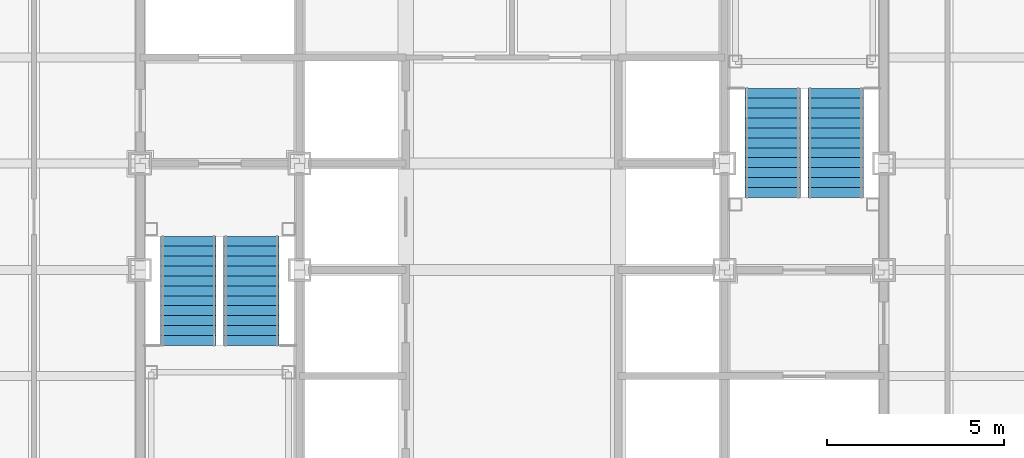
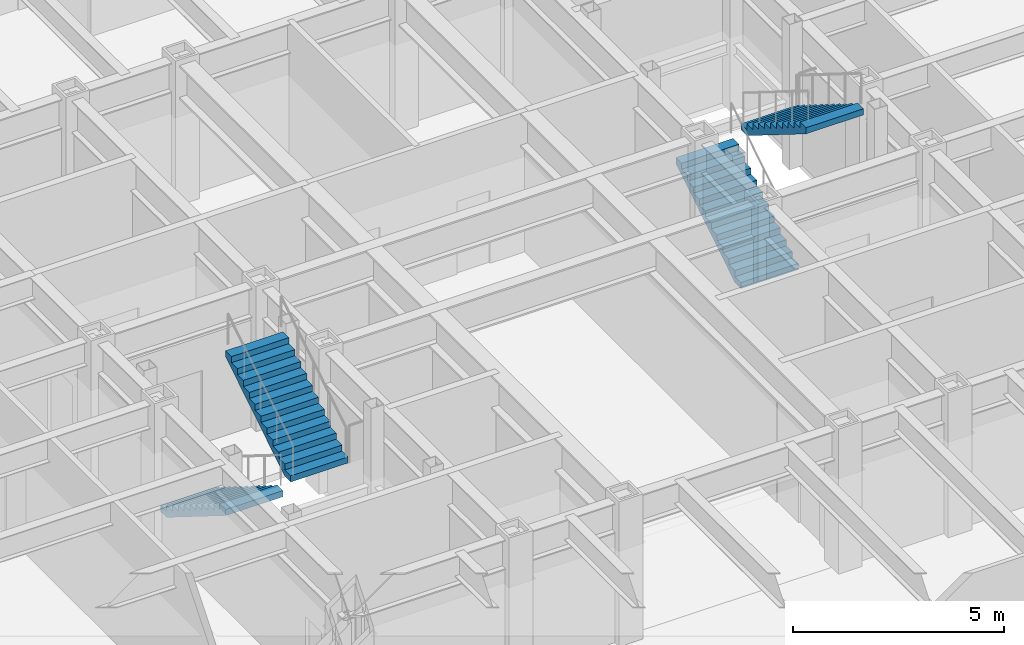
# One storey, part 13 of 15: 4 stair flights, 2 elements without a shape of their own.
"""IFC4 building model written with IfcOpenShell, lengths in metres."""

import ifcopenshell
import ifcopenshell.guid

model = None  # the IFC model being written
_history = None  # IfcOwnerHistory: only IFC2X3 demands one
_inside = {}  # id of a spatial element -> (the spatial element, [elements in it])
_under = {}  # id of a project, library or spatial element -> (it, [spatial elements below it])
_declared = {}  # id of a project -> (the project, [libraries it declares])
_typed = {}  # id of a type object -> (the type object, [elements of that type])
_made_of = {}  # id of a material, layer set ... -> (it, [elements and type objects made of it])


def new_model(schema):
    """Start an empty IFC model of exactly this schema.

    Asked for "IFC4X3", IfcOpenShell would pick the latest addendum, in which some entities
    have other attributes; the version numbers below select the first issue.
    IFC2X3 requires an IfcOwnerHistory on every rooted entity: one is made here for all.
    """
    global model, _history
    if schema == "IFC4X3":
        model = ifcopenshell.file(schema_version=(4, 3, 0, 0))
    else:
        model = ifcopenshell.file(schema=schema)
    _inside.clear()
    _under.clear()
    _declared.clear()
    _typed.clear()
    _made_of.clear()
    _history = None
    if model.schema == "IFC2X3":
        org = make("IfcOrganization", Name="unknown")
        user = make(
            "IfcPersonAndOrganization",
            ThePerson=make("IfcPerson", FamilyName="unknown"),
            TheOrganization=org,
        )
        app = make(
            "IfcApplication",
            ApplicationDeveloper=org,
            Version="unknown",
            ApplicationFullName="unknown",
            ApplicationIdentifier="unknown",
        )
        _history = make(
            "IfcOwnerHistory",
            OwningUser=user,
            OwningApplication=app,
            ChangeAction="ADDED",
            CreationDate=0,
        )
    return model


def make(cls, **values):
    """One entity of the class cls with the attributes given. An attribute that is None is left unset."""
    return model.create_entity(
        cls, **{name: value for name, value in values.items() if value is not None}
    )


def rooted(cls, **values):
    """An entity with a GlobalId (a new one), such as an element, a storey or a relation."""
    return make(cls, GlobalId=ifcopenshell.guid.new(), OwnerHistory=_history, **values)


def si_unit(unit_type, name, prefix=None):
    """IfcSIUnit, for example si_unit("LENGTHUNIT", "METRE", prefix="MILLI")."""
    return make("IfcSIUnit", UnitType=unit_type, Prefix=prefix, Name=name)


def assignment(units):
    """IfcUnitAssignment: the units of a project."""
    return None if units is None else make("IfcUnitAssignment", Units=units)


def point(xyz):
    """IfcCartesianPoint."""
    return None if xyz is None else make("IfcCartesianPoint", Coordinates=xyz)


def direction(xyz):
    """IfcDirection."""
    return None if xyz is None else make("IfcDirection", DirectionRatios=xyz)


def frame(location, z_axis=None, x_axis=None):
    """IfcAxis2Placement3D, a coordinate frame: its origin and axes. An axis left out is left unset."""
    return make(
        "IfcAxis2Placement3D",
        Location=point(location),
        Axis=direction(z_axis),
        RefDirection=direction(x_axis),
    )


def origin():
    """The frame at (0, 0, 0) with its axes left unset."""
    return frame((0.0, 0.0, 0.0))


def place(relative_to, where):
    """IfcLocalPlacement: puts the frame where relative to a parent placement (None: the world)."""
    return make(
        "IfcLocalPlacement", PlacementRelTo=relative_to, RelativePlacement=where
    )


def context(
    kind, dimensions, precision=None, world=None, true_north=None, identifier=None
):
    """IfcGeometricRepresentationContext, for example the 3D "Model" context."""
    return make(
        "IfcGeometricRepresentationContext",
        ContextIdentifier=identifier,
        ContextType=kind,
        CoordinateSpaceDimension=dimensions,
        Precision=precision,
        WorldCoordinateSystem=world,
        TrueNorth=true_north,
    )


def subcontext(parent, identifier, kind, view, scale=None):
    """IfcGeometricRepresentationSubContext, for example "Body" below "Model"."""
    return make(
        "IfcGeometricRepresentationSubContext",
        ContextIdentifier=identifier,
        ContextType=kind,
        ParentContext=parent,
        TargetScale=scale,
        TargetView=view,
    )


def project(units=None, contexts=None):
    """IfcProject with its units and contexts."""
    return rooted(
        "IfcProject",
        Name="project",
        RepresentationContexts=contexts,
        UnitsInContext=assignment(units),
    )


def spatial(cls, under=None, at=None, **own):
    """A site, building, storey or space (cls), placed at a placement, below another one or the project."""
    s = rooted(cls, ObjectPlacement=at, **own)
    if under is not None:
        _under.setdefault(under.id(), (under, []))[1].append(s)
    return s


def faces_of(points, faces, orient=None, outer=None):
    """IfcFace entities. A face is a list of loops; a loop is a list of indices into points, from 0.

    orient and outer hold one flag for each loop. By default every Orientation is true, the
    first loop of a face is its IfcFaceOuterBound and the others are IfcFaceBound.
    """
    made = []
    for i, loops in enumerate(faces):
        bounds = []
        for j, loop in enumerate(loops):
            is_outer = j == 0 if outer is None else outer[i][j]
            bounds.append(
                make(
                    "IfcFaceOuterBound" if is_outer else "IfcFaceBound",
                    Bound=make("IfcPolyLoop", Polygon=[points[k] for k in loop]),
                    Orientation=True if orient is None else orient[i][j],
                )
            )
        made.append(make("IfcFace", Bounds=bounds))
    return made


def faceted_brep(points, faces, orient=None, outer=None, voids=None):
    """IfcFacetedBrep: a solid bounded by flat faces; with voids (closed shells), ...WithVoids."""
    shared = [point(p) for p in points]
    hull = make("IfcClosedShell", CfsFaces=faces_of(shared, faces, orient, outer))
    if voids is None:
        return make("IfcFacetedBrep", Outer=hull)
    return make(
        "IfcFacetedBrepWithVoids",
        Outer=hull,
        Voids=[
            make(cls, CfsFaces=faces_of(shared, fs, o, b)) for cls, fs, o, b in voids
        ],
    )


def shape(context_of_items, identifier, shape_type, items):
    """IfcShapeRepresentation: the items that make up one representation, for example the "Body"."""
    return make(
        "IfcShapeRepresentation",
        ContextOfItems=context_of_items,
        RepresentationIdentifier=identifier,
        RepresentationType=shape_type,
        Items=items,
    )


def material(Name=None, Category=None):
    """IfcMaterial."""
    return make("IfcMaterial", Name=Name, Category=Category)


def made_of(thing, what):
    """Note that an element or type object is made of a material, layer set ...; save() writes the relation."""
    if what is not None:
        _made_of.setdefault(what.id(), (what, []))[1].append(thing)
    return thing


def type_object(cls, material=None, **own):
    """A type object (cls), such as IfcWallType, which elements share."""
    return made_of(rooted(cls, **own), material)


def element(
    cls,
    number,
    at=None,
    inside=None,
    cuts=None,
    type_object=None,
    material=None,
    context=None,
    identifier="Body",
    shape_type=None,
    held_by="IfcProductDefinitionShape",
    body=None,
    shapes=None,
    **own,
):
    """One element of the class cls, such as IfcWall. Its Tag is "e" and its number.

    at: its placement. inside: the storey or other place that contains it. cuts: it is an
    opening in that element (IfcRelVoidsElement). A single representation is given by context,
    identifier, shape_type and body (its items); several are given by shapes. held_by: the class
    of the entity that holds the representations. save() writes the other relations.
    """
    e = rooted(cls, Tag="e%d" % number, ObjectPlacement=at, **own)
    if body is not None:
        shapes = [shape(context, identifier, shape_type, body)]
    if shapes is not None:
        e.Representation = make(held_by, Representations=shapes)
    if inside is not None:
        _inside.setdefault(inside.id(), (inside, []))[1].append(e)
    if cuts is not None:
        rooted(
            "IfcRelVoidsElement", RelatingBuildingElement=cuts, RelatedOpeningElement=e
        )
    if type_object is not None:
        _typed.setdefault(type_object.id(), (type_object, []))[1].append(e)
    return made_of(e, material)


def aggregate(whole, parts):
    """IfcRelAggregates: a whole, such as a stair, and the parts it consists of."""
    return rooted("IfcRelAggregates", RelatingObject=whole, RelatedObjects=parts)


def save(model, path):
    """Write the relations noted so far, then the file.

    IfcRelAggregates (storeys below a building ...), IfcRelContainedInSpatialStructure (elements
    in a storey), IfcRelDefinesByType, IfcRelAssociatesMaterial and IfcRelDeclares: one each for
    every whole, place, type object, material and project.
    """
    for whole, parts in _under.values():
        aggregate(whole, parts)
    for where, things in _inside.values():
        rooted(
            "IfcRelContainedInSpatialStructure",
            RelatedElements=things,
            RelatingStructure=where,
        )
    for kind, things in _typed.values():
        rooted("IfcRelDefinesByType", RelatedObjects=things, RelatingType=kind)
    for what, things in _made_of.values():
        rooted("IfcRelAssociatesMaterial", RelatedObjects=things, RelatingMaterial=what)
    for by, libraries in _declared.values():
        rooted("IfcRelDeclares", RelatingContext=by, RelatedDefinitions=libraries)
    model.write(path)


model = new_model("IFC4")

# Units and contexts
model_context = context("Model", 3, precision=1e-05, world=origin(), true_north=direction((0.0, 1.0)))
body_context = subcontext(model_context, "Body", "Model", "MODEL_VIEW")
ifc_project = project(units=[si_unit("LENGTHUNIT", "METRE"), si_unit("AREAUNIT", "SQUARE_METRE"), si_unit("VOLUMEUNIT", "CUBIC_METRE"), si_unit("PLANEANGLEUNIT", "RADIAN"), si_unit("MASSUNIT", "GRAM", prefix="KILO")], contexts=[model_context])

# Site, building, storey
site_placement = place(None, origin())
site = spatial("IfcSite", under=ifc_project, at=site_placement, CompositionType="ELEMENT")
building_placement = place(site_placement, origin())
building = spatial("IfcBuilding", under=site, at=building_placement, Name="Chuquiago Exchange Tower", CompositionType="ELEMENT")
storey_placement = place(building_placement, frame((0.0, 0.0, 184.5)))
storey = spatial("IfcBuildingStorey", under=building, at=storey_placement, Name="L40", CompositionType="ELEMENT", Elevation=184.5)

# Stair, stair flights
ifc_material_1 = material(Name="Concrete C30/37, precast", Category="concrete")
stair_type_1 = type_object("IfcStairType", Name="ST1 half-turn stair 4200", PredefinedType="HALF_TURN_STAIR", material=ifc_material_1)
stair_1_placement = place(storey_placement, origin())
stair_1 = element("IfcStair", 1, at=stair_1_placement, inside=storey, type_object=stair_type_1, Name="Stair ST1 L40", PredefinedType="HALF_TURN_STAIR")
ifc_material_2 = material(Name="Concrete C30/37, precast", Category="concrete")
stair_flight_type = type_object("IfcStairFlightType", Name="ST-F flight 1570 for 4200 storey", PredefinedType="STRAIGHT", material=ifc_material_2)
stair_flight_1_placement = place(storey_placement, frame((13.360107421875, 21.949951171875, 0.0), z_axis=(0.0, 0.0, 1.0), x_axis=(0.0, -1.0, 0.0)))
stair_flight_1 = element("IfcStairFlight", 2, at=stair_flight_1_placement, type_object=stair_flight_type, Name="ST1 flight 1", NumberOfRisers=12, NumberOfTreads=11, PredefinedType="STRAIGHT", RiserHeight=0.175, TreadLength=0.28, context=body_context, shape_type="Brep", body=[
    faceted_brep([(0.0, 0.78515625, 0.0), (0.0, 0.78515625, 0.175048828125), (0.280029296875, 0.78515625, 0.175048828125), (0.280029296875, 0.78515625, 0.35009765625), (0.56005859375, 0.78515625, 0.35009765625), (0.56005859375, 0.78515625, 0.52490234375), (0.840087890625, 0.78515625, 0.52490234375), (0.840087890625, 0.78515625, 0.699951171875), (1.1201171875, 0.78515625, 0.699951171875), (1.1201171875, 0.78515625, 0.875), (1.39990234375, 0.78515625, 0.875), (1.39990234375, 0.78515625, 1.050048828125), (1.679931640625, 0.78515625, 1.050048828125), (1.679931640625, 0.78515625, 1.22509765625), (1.9599609375, 0.78515625, 1.22509765625), (1.9599609375, 0.78515625, 1.39990234375), (2.239990234375, 0.78515625, 1.39990234375), (2.239990234375, 0.78515625, 1.574951171875), (2.52001953125, 0.78515625, 1.574951171875), (2.52001953125, 0.78515625, 1.75), (2.800048828125, 0.78515625, 1.75), (2.800048828125, 0.78515625, 1.925048828125), (3.080078125, 0.78515625, 1.925048828125), (3.080078125, 0.78515625, 1.748291015625), (0.28271484375, 0.78515625, 0.0), (0.28271484375, -0.78515625, 0.0), (3.080078125, -0.78515625, 1.748291015625), (3.080078125, -0.78515625, 1.925048828125), (2.800048828125, -0.78515625, 1.925048828125), (2.800048828125, -0.78515625, 1.75), (2.52001953125, -0.78515625, 1.75), (2.52001953125, -0.78515625, 1.574951171875), (2.239990234375, -0.78515625, 1.574951171875), (2.239990234375, -0.78515625, 1.39990234375), (1.9599609375, -0.78515625, 1.39990234375), (1.9599609375, -0.78515625, 1.22509765625), (1.679931640625, -0.78515625, 1.22509765625), (1.679931640625, -0.78515625, 1.050048828125), (1.39990234375, -0.78515625, 1.050048828125), (1.39990234375, -0.78515625, 0.875), (1.1201171875, -0.78515625, 0.875), (1.1201171875, -0.78515625, 0.699951171875), (0.840087890625, -0.78515625, 0.699951171875), (0.840087890625, -0.78515625, 0.52490234375), (0.56005859375, -0.78515625, 0.52490234375), (0.56005859375, -0.78515625, 0.35009765625), (0.280029296875, -0.78515625, 0.35009765625), (0.280029296875, -0.78515625, 0.175048828125), (0.0, -0.78515625, 0.175048828125), (0.0, -0.78515625, 0.0), (0.0, 0.392578125, 0.0), (0.0, 0.392578125, 0.175048828125), (0.0, 0.0, 0.0), (0.0, 0.0, 0.175048828125), (0.0, -0.392578125, 0.0), (0.0, -0.392578125, 0.175048828125), (0.280029296875, 0.392578125, 0.175048828125), (0.280029296875, 0.0, 0.175048828125), (0.280029296875, -0.392578125, 0.175048828125), (0.280029296875, 0.392578125, 0.35009765625), (0.280029296875, 0.0, 0.35009765625), (0.280029296875, -0.392578125, 0.35009765625), (0.56005859375, 0.392578125, 0.35009765625), (0.56005859375, 0.0, 0.35009765625), (0.56005859375, -0.392578125, 0.35009765625), (0.56005859375, 0.392578125, 0.52490234375), (0.56005859375, 0.0, 0.52490234375), (0.56005859375, -0.392578125, 0.52490234375), (0.840087890625, 0.392578125, 0.52490234375), (0.840087890625, 0.0, 0.52490234375), (0.840087890625, -0.392578125, 0.52490234375), (0.840087890625, 0.392578125, 0.699951171875), (0.840087890625, 0.0, 0.699951171875), (0.840087890625, -0.392578125, 0.699951171875), (1.1201171875, 0.392578125, 0.699951171875), (1.1201171875, 0.0, 0.699951171875), (1.1201171875, -0.392578125, 0.699951171875), (1.1201171875, 0.392578125, 0.875), (1.1201171875, 0.0, 0.875), (1.1201171875, -0.392578125, 0.875), (1.39990234375, 0.392578125, 0.875), (1.39990234375, 0.0, 0.875), (1.39990234375, -0.392578125, 0.875), (1.39990234375, 0.392578125, 1.050048828125), (1.39990234375, 0.0, 1.050048828125), (1.39990234375, -0.392578125, 1.050048828125), (1.679931640625, 0.392578125, 1.050048828125), (1.679931640625, 0.0, 1.050048828125), (1.679931640625, -0.392578125, 1.050048828125), (1.679931640625, 0.392578125, 1.22509765625), (1.679931640625, 0.0, 1.22509765625), (1.679931640625, -0.392578125, 1.22509765625), (1.9599609375, 0.392578125, 1.22509765625), (1.9599609375, 0.0, 1.22509765625), (1.9599609375, -0.392578125, 1.22509765625), (1.9599609375, 0.392578125, 1.39990234375), (1.9599609375, 0.0, 1.39990234375), (1.9599609375, -0.392578125, 1.39990234375), (2.239990234375, 0.392578125, 1.39990234375), (2.239990234375, 0.0, 1.39990234375), (2.239990234375, -0.392578125, 1.39990234375), (2.239990234375, 0.392578125, 1.574951171875), (2.239990234375, 0.0, 1.574951171875), (2.239990234375, -0.392578125, 1.574951171875), (2.52001953125, 0.392578125, 1.574951171875), (2.52001953125, 0.0, 1.574951171875), (2.52001953125, -0.392578125, 1.574951171875), (2.52001953125, 0.392578125, 1.75), (2.52001953125, 0.0, 1.75), (2.52001953125, -0.392578125, 1.75), (2.800048828125, 0.392578125, 1.75), (2.800048828125, 0.0, 1.75), (2.800048828125, -0.392578125, 1.75), (2.800048828125, 0.392578125, 1.925048828125), (2.800048828125, 0.0, 1.925048828125), (2.800048828125, -0.392578125, 1.925048828125), (3.080078125, 0.392578125, 1.925048828125), (3.080078125, 0.0, 1.925048828125), (3.080078125, -0.392578125, 1.925048828125), (3.080078125, 0.392578125, 1.748291015625), (3.080078125, 0.0, 1.748291015625), (3.080078125, -0.392578125, 1.748291015625), (0.28271484375, 0.392578125, 0.0), (0.28271484375, 0.0, 0.0), (0.28271484375, -0.392578125, 0.0)], [[[0, 1, 2, 3, 4, 5, 6, 7, 8, 9, 10, 11, 12, 13, 14, 15, 16, 17, 18, 19, 20, 21, 22, 23, 24]], [[25, 26, 27, 28, 29, 30, 31, 32, 33, 34, 35, 36, 37, 38, 39, 40, 41, 42, 43, 44, 45, 46, 47, 48, 49]], [[1, 0, 50, 51]], [[51, 50, 52, 53]], [[53, 52, 54, 55]], [[55, 54, 49, 48]], [[2, 1, 51, 56]], [[56, 51, 53, 57]], [[57, 53, 55, 58]], [[58, 55, 48, 47]], [[3, 2, 56, 59]], [[59, 56, 57, 60]], [[60, 57, 58, 61]], [[61, 58, 47, 46]], [[4, 3, 59, 62]], [[62, 59, 60, 63]], [[63, 60, 61, 64]], [[64, 61, 46, 45]], [[5, 4, 62, 65]], [[65, 62, 63, 66]], [[66, 63, 64, 67]], [[67, 64, 45, 44]], [[6, 5, 65, 68]], [[68, 65, 66, 69]], [[69, 66, 67, 70]], [[70, 67, 44, 43]], [[7, 6, 68, 71]], [[71, 68, 69, 72]], [[72, 69, 70, 73]], [[73, 70, 43, 42]], [[8, 7, 71, 74]], [[74, 71, 72, 75]], [[75, 72, 73, 76]], [[76, 73, 42, 41]], [[9, 8, 74, 77]], [[77, 74, 75, 78]], [[78, 75, 76, 79]], [[79, 76, 41, 40]], [[10, 9, 77, 80]], [[80, 77, 78, 81]], [[81, 78, 79, 82]], [[82, 79, 40, 39]], [[11, 10, 80, 83]], [[83, 80, 81, 84]], [[84, 81, 82, 85]], [[85, 82, 39, 38]], [[12, 11, 83, 86]], [[86, 83, 84, 87]], [[87, 84, 85, 88]], [[88, 85, 38, 37]], [[13, 12, 86, 89]], [[89, 86, 87, 90]], [[90, 87, 88, 91]], [[91, 88, 37, 36]], [[14, 13, 89, 92]], [[92, 89, 90, 93]], [[93, 90, 91, 94]], [[94, 91, 36, 35]], [[15, 14, 92, 95]], [[95, 92, 93, 96]], [[96, 93, 94, 97]], [[97, 94, 35, 34]], [[16, 15, 95, 98]], [[98, 95, 96, 99]], [[99, 96, 97, 100]], [[100, 97, 34, 33]], [[17, 16, 98, 101]], [[101, 98, 99, 102]], [[102, 99, 100, 103]], [[103, 100, 33, 32]], [[18, 17, 101, 104]], [[104, 101, 102, 105]], [[105, 102, 103, 106]], [[106, 103, 32, 31]], [[19, 18, 104, 107]], [[107, 104, 105, 108]], [[108, 105, 106, 109]], [[109, 106, 31, 30]], [[20, 19, 107, 110]], [[110, 107, 108, 111]], [[111, 108, 109, 112]], [[112, 109, 30, 29]], [[21, 20, 110, 113]], [[113, 110, 111, 114]], [[114, 111, 112, 115]], [[115, 112, 29, 28]], [[22, 21, 113, 116]], [[116, 113, 114, 117]], [[117, 114, 115, 118]], [[118, 115, 28, 27]], [[23, 22, 116, 119]], [[119, 116, 117, 120]], [[120, 117, 118, 121]], [[121, 118, 27, 26]], [[24, 23, 119, 122]], [[122, 119, 120, 123]], [[123, 120, 121, 124]], [[124, 121, 26, 25]], [[0, 24, 122, 50]], [[50, 122, 123, 52]], [[52, 123, 124, 54]], [[54, 124, 25, 49]]]),
])
stair_flight_2_placement = place(storey_placement, frame((15.139892578125, 18.8701171875, 2.10009765625), z_axis=(0.0, 0.0, 1.0), x_axis=(0.0, 1.0, 0.0)))
stair_flight_2 = element("IfcStairFlight", 3, at=stair_flight_2_placement, type_object=stair_flight_type, Name="ST1 flight 2", NumberOfRisers=12, NumberOfTreads=11, PredefinedType="STRAIGHT", RiserHeight=0.175, TreadLength=0.28, context=body_context, shape_type="Brep", body=[
    faceted_brep([(0.0, 0.78515625, 0.0), (0.0, 0.78515625, 0.175048828125), (0.280029296875, 0.78515625, 0.175048828125), (0.280029296875, 0.78515625, 0.35009765625), (0.56005859375, 0.78515625, 0.35009765625), (0.56005859375, 0.78515625, 0.52490234375), (0.840087890625, 0.78515625, 0.52490234375), (0.840087890625, 0.78515625, 0.699951171875), (1.1201171875, 0.78515625, 0.699951171875), (1.1201171875, 0.78515625, 0.875), (1.39990234375, 0.78515625, 0.875), (1.39990234375, 0.78515625, 1.050048828125), (1.679931640625, 0.78515625, 1.050048828125), (1.679931640625, 0.78515625, 1.22509765625), (1.9599609375, 0.78515625, 1.22509765625), (1.9599609375, 0.78515625, 1.39990234375), (2.239990234375, 0.78515625, 1.39990234375), (2.239990234375, 0.78515625, 1.574951171875), (2.52001953125, 0.78515625, 1.574951171875), (2.52001953125, 0.78515625, 1.75), (2.800048828125, 0.78515625, 1.75), (2.800048828125, 0.78515625, 1.925048828125), (3.080078125, 0.78515625, 1.925048828125), (3.080078125, 0.78515625, 1.748291015625), (0.28271484375, 0.78515625, 0.0), (0.28271484375, -0.78515625, 0.0), (3.080078125, -0.78515625, 1.748291015625), (3.080078125, -0.78515625, 1.925048828125), (2.800048828125, -0.78515625, 1.925048828125), (2.800048828125, -0.78515625, 1.75), (2.52001953125, -0.78515625, 1.75), (2.52001953125, -0.78515625, 1.574951171875), (2.239990234375, -0.78515625, 1.574951171875), (2.239990234375, -0.78515625, 1.39990234375), (1.9599609375, -0.78515625, 1.39990234375), (1.9599609375, -0.78515625, 1.22509765625), (1.679931640625, -0.78515625, 1.22509765625), (1.679931640625, -0.78515625, 1.050048828125), (1.39990234375, -0.78515625, 1.050048828125), (1.39990234375, -0.78515625, 0.875), (1.1201171875, -0.78515625, 0.875), (1.1201171875, -0.78515625, 0.699951171875), (0.840087890625, -0.78515625, 0.699951171875), (0.840087890625, -0.78515625, 0.52490234375), (0.56005859375, -0.78515625, 0.52490234375), (0.56005859375, -0.78515625, 0.35009765625), (0.280029296875, -0.78515625, 0.35009765625), (0.280029296875, -0.78515625, 0.175048828125), (0.0, -0.78515625, 0.175048828125), (0.0, -0.78515625, 0.0), (0.0, 0.392578125, 0.0), (0.0, 0.392578125, 0.175048828125), (0.0, 0.0, 0.0), (0.0, 0.0, 0.175048828125), (0.0, -0.392578125, 0.0), (0.0, -0.392578125, 0.175048828125), (0.280029296875, 0.392578125, 0.175048828125), (0.280029296875, 0.0, 0.175048828125), (0.280029296875, -0.392578125, 0.175048828125), (0.280029296875, 0.392578125, 0.35009765625), (0.280029296875, 0.0, 0.35009765625), (0.280029296875, -0.392578125, 0.35009765625), (0.56005859375, 0.392578125, 0.35009765625), (0.56005859375, 0.0, 0.35009765625), (0.56005859375, -0.392578125, 0.35009765625), (0.56005859375, 0.392578125, 0.52490234375), (0.56005859375, 0.0, 0.52490234375), (0.56005859375, -0.392578125, 0.52490234375), (0.840087890625, 0.392578125, 0.52490234375), (0.840087890625, 0.0, 0.52490234375), (0.840087890625, -0.392578125, 0.52490234375), (0.840087890625, 0.392578125, 0.699951171875), (0.840087890625, 0.0, 0.699951171875), (0.840087890625, -0.392578125, 0.699951171875), (1.1201171875, 0.392578125, 0.699951171875), (1.1201171875, 0.0, 0.699951171875), (1.1201171875, -0.392578125, 0.699951171875), (1.1201171875, 0.392578125, 0.875), (1.1201171875, 0.0, 0.875), (1.1201171875, -0.392578125, 0.875), (1.39990234375, 0.392578125, 0.875), (1.39990234375, 0.0, 0.875), (1.39990234375, -0.392578125, 0.875), (1.39990234375, 0.392578125, 1.050048828125), (1.39990234375, 0.0, 1.050048828125), (1.39990234375, -0.392578125, 1.050048828125), (1.679931640625, 0.392578125, 1.050048828125), (1.679931640625, 0.0, 1.050048828125), (1.679931640625, -0.392578125, 1.050048828125), (1.679931640625, 0.392578125, 1.22509765625), (1.679931640625, 0.0, 1.22509765625), (1.679931640625, -0.392578125, 1.22509765625), (1.9599609375, 0.392578125, 1.22509765625), (1.9599609375, 0.0, 1.22509765625), (1.9599609375, -0.392578125, 1.22509765625), (1.9599609375, 0.392578125, 1.39990234375), (1.9599609375, 0.0, 1.39990234375), (1.9599609375, -0.392578125, 1.39990234375), (2.239990234375, 0.392578125, 1.39990234375), (2.239990234375, 0.0, 1.39990234375), (2.239990234375, -0.392578125, 1.39990234375), (2.239990234375, 0.392578125, 1.574951171875), (2.239990234375, 0.0, 1.574951171875), (2.239990234375, -0.392578125, 1.574951171875), (2.52001953125, 0.392578125, 1.574951171875), (2.52001953125, 0.0, 1.574951171875), (2.52001953125, -0.392578125, 1.574951171875), (2.52001953125, 0.392578125, 1.75), (2.52001953125, 0.0, 1.75), (2.52001953125, -0.392578125, 1.75), (2.800048828125, 0.392578125, 1.75), (2.800048828125, 0.0, 1.75), (2.800048828125, -0.392578125, 1.75), (2.800048828125, 0.392578125, 1.925048828125), (2.800048828125, 0.0, 1.925048828125), (2.800048828125, -0.392578125, 1.925048828125), (3.080078125, 0.392578125, 1.925048828125), (3.080078125, 0.0, 1.925048828125), (3.080078125, -0.392578125, 1.925048828125), (3.080078125, 0.392578125, 1.748291015625), (3.080078125, 0.0, 1.748291015625), (3.080078125, -0.392578125, 1.748291015625), (0.28271484375, 0.392578125, 0.0), (0.28271484375, 0.0, 0.0), (0.28271484375, -0.392578125, 0.0)], [[[0, 1, 2, 3, 4, 5, 6, 7, 8, 9, 10, 11, 12, 13, 14, 15, 16, 17, 18, 19, 20, 21, 22, 23, 24]], [[25, 26, 27, 28, 29, 30, 31, 32, 33, 34, 35, 36, 37, 38, 39, 40, 41, 42, 43, 44, 45, 46, 47, 48, 49]], [[1, 0, 50, 51]], [[51, 50, 52, 53]], [[53, 52, 54, 55]], [[55, 54, 49, 48]], [[2, 1, 51, 56]], [[56, 51, 53, 57]], [[57, 53, 55, 58]], [[58, 55, 48, 47]], [[3, 2, 56, 59]], [[59, 56, 57, 60]], [[60, 57, 58, 61]], [[61, 58, 47, 46]], [[4, 3, 59, 62]], [[62, 59, 60, 63]], [[63, 60, 61, 64]], [[64, 61, 46, 45]], [[5, 4, 62, 65]], [[65, 62, 63, 66]], [[66, 63, 64, 67]], [[67, 64, 45, 44]], [[6, 5, 65, 68]], [[68, 65, 66, 69]], [[69, 66, 67, 70]], [[70, 67, 44, 43]], [[7, 6, 68, 71]], [[71, 68, 69, 72]], [[72, 69, 70, 73]], [[73, 70, 43, 42]], [[8, 7, 71, 74]], [[74, 71, 72, 75]], [[75, 72, 73, 76]], [[76, 73, 42, 41]], [[9, 8, 74, 77]], [[77, 74, 75, 78]], [[78, 75, 76, 79]], [[79, 76, 41, 40]], [[10, 9, 77, 80]], [[80, 77, 78, 81]], [[81, 78, 79, 82]], [[82, 79, 40, 39]], [[11, 10, 80, 83]], [[83, 80, 81, 84]], [[84, 81, 82, 85]], [[85, 82, 39, 38]], [[12, 11, 83, 86]], [[86, 83, 84, 87]], [[87, 84, 85, 88]], [[88, 85, 38, 37]], [[13, 12, 86, 89]], [[89, 86, 87, 90]], [[90, 87, 88, 91]], [[91, 88, 37, 36]], [[14, 13, 89, 92]], [[92, 89, 90, 93]], [[93, 90, 91, 94]], [[94, 91, 36, 35]], [[15, 14, 92, 95]], [[95, 92, 93, 96]], [[96, 93, 94, 97]], [[97, 94, 35, 34]], [[16, 15, 95, 98]], [[98, 95, 96, 99]], [[99, 96, 97, 100]], [[100, 97, 34, 33]], [[17, 16, 98, 101]], [[101, 98, 99, 102]], [[102, 99, 100, 103]], [[103, 100, 33, 32]], [[18, 17, 101, 104]], [[104, 101, 102, 105]], [[105, 102, 103, 106]], [[106, 103, 32, 31]], [[19, 18, 104, 107]], [[107, 104, 105, 108]], [[108, 105, 106, 109]], [[109, 106, 31, 30]], [[20, 19, 107, 110]], [[110, 107, 108, 111]], [[111, 108, 109, 112]], [[112, 109, 30, 29]], [[21, 20, 110, 113]], [[113, 110, 111, 114]], [[114, 111, 112, 115]], [[115, 112, 29, 28]], [[22, 21, 113, 116]], [[116, 113, 114, 117]], [[117, 114, 115, 118]], [[118, 115, 28, 27]], [[23, 22, 116, 119]], [[119, 116, 117, 120]], [[120, 117, 118, 121]], [[121, 118, 27, 26]], [[24, 23, 119, 122]], [[122, 119, 120, 123]], [[123, 120, 121, 124]], [[124, 121, 26, 25]], [[0, 24, 122, 50]], [[50, 122, 123, 52]], [[52, 123, 124, 54]], [[54, 124, 25, 49]]]),
])
aggregate(stair_1, [stair_flight_1, stair_flight_2])

ifc_material_3 = material(Name="Concrete C30/37, precast", Category="concrete")
stair_type_2 = type_object("IfcStairType", Name="ST2 half-turn stair 4200", PredefinedType="HALF_TURN_STAIR", material=ifc_material_3)
stair_2_placement = place(storey_placement, origin())
stair_2 = element("IfcStair", 4, at=stair_2_placement, inside=storey, type_object=stair_type_2, Name="Stair ST2 L40", PredefinedType="HALF_TURN_STAIR")
stair_flight_3_placement = place(storey_placement, frame((29.860107421875, 23.050048828125, 0.0), z_axis=(0.0, 0.0, 1.0), x_axis=(0.0, 1.0, 0.0)))
stair_flight_3 = element("IfcStairFlight", 5, at=stair_flight_3_placement, type_object=stair_flight_type, Name="ST2 flight 1", NumberOfRisers=12, NumberOfTreads=11, PredefinedType="STRAIGHT", RiserHeight=0.175, TreadLength=0.28, context=body_context, shape_type="Brep", body=[
    faceted_brep([(0.0, 0.78515625, 0.0), (0.0, 0.78515625, 0.175048828125), (0.280029296875, 0.78515625, 0.175048828125), (0.280029296875, 0.78515625, 0.35009765625), (0.56005859375, 0.78515625, 0.35009765625), (0.56005859375, 0.78515625, 0.52490234375), (0.840087890625, 0.78515625, 0.52490234375), (0.840087890625, 0.78515625, 0.699951171875), (1.1201171875, 0.78515625, 0.699951171875), (1.1201171875, 0.78515625, 0.875), (1.39990234375, 0.78515625, 0.875), (1.39990234375, 0.78515625, 1.050048828125), (1.679931640625, 0.78515625, 1.050048828125), (1.679931640625, 0.78515625, 1.22509765625), (1.9599609375, 0.78515625, 1.22509765625), (1.9599609375, 0.78515625, 1.39990234375), (2.239990234375, 0.78515625, 1.39990234375), (2.239990234375, 0.78515625, 1.574951171875), (2.52001953125, 0.78515625, 1.574951171875), (2.52001953125, 0.78515625, 1.75), (2.800048828125, 0.78515625, 1.75), (2.800048828125, 0.78515625, 1.925048828125), (3.080078125, 0.78515625, 1.925048828125), (3.080078125, 0.78515625, 1.748291015625), (0.28271484375, 0.78515625, 0.0), (0.28271484375, -0.78515625, 0.0), (3.080078125, -0.78515625, 1.748291015625), (3.080078125, -0.78515625, 1.925048828125), (2.800048828125, -0.78515625, 1.925048828125), (2.800048828125, -0.78515625, 1.75), (2.52001953125, -0.78515625, 1.75), (2.52001953125, -0.78515625, 1.574951171875), (2.239990234375, -0.78515625, 1.574951171875), (2.239990234375, -0.78515625, 1.39990234375), (1.9599609375, -0.78515625, 1.39990234375), (1.9599609375, -0.78515625, 1.22509765625), (1.679931640625, -0.78515625, 1.22509765625), (1.679931640625, -0.78515625, 1.050048828125), (1.39990234375, -0.78515625, 1.050048828125), (1.39990234375, -0.78515625, 0.875), (1.1201171875, -0.78515625, 0.875), (1.1201171875, -0.78515625, 0.699951171875), (0.840087890625, -0.78515625, 0.699951171875), (0.840087890625, -0.78515625, 0.52490234375), (0.56005859375, -0.78515625, 0.52490234375), (0.56005859375, -0.78515625, 0.35009765625), (0.280029296875, -0.78515625, 0.35009765625), (0.280029296875, -0.78515625, 0.175048828125), (0.0, -0.78515625, 0.175048828125), (0.0, -0.78515625, 0.0), (0.0, 0.392578125, 0.0), (0.0, 0.392578125, 0.175048828125), (0.0, 0.0, 0.0), (0.0, 0.0, 0.175048828125), (0.0, -0.392578125, 0.0), (0.0, -0.392578125, 0.175048828125), (0.280029296875, 0.392578125, 0.175048828125), (0.280029296875, 0.0, 0.175048828125), (0.280029296875, -0.392578125, 0.175048828125), (0.280029296875, 0.392578125, 0.35009765625), (0.280029296875, 0.0, 0.35009765625), (0.280029296875, -0.392578125, 0.35009765625), (0.56005859375, 0.392578125, 0.35009765625), (0.56005859375, 0.0, 0.35009765625), (0.56005859375, -0.392578125, 0.35009765625), (0.56005859375, 0.392578125, 0.52490234375), (0.56005859375, 0.0, 0.52490234375), (0.56005859375, -0.392578125, 0.52490234375), (0.840087890625, 0.392578125, 0.52490234375), (0.840087890625, 0.0, 0.52490234375), (0.840087890625, -0.392578125, 0.52490234375), (0.840087890625, 0.392578125, 0.699951171875), (0.840087890625, 0.0, 0.699951171875), (0.840087890625, -0.392578125, 0.699951171875), (1.1201171875, 0.392578125, 0.699951171875), (1.1201171875, 0.0, 0.699951171875), (1.1201171875, -0.392578125, 0.699951171875), (1.1201171875, 0.392578125, 0.875), (1.1201171875, 0.0, 0.875), (1.1201171875, -0.392578125, 0.875), (1.39990234375, 0.392578125, 0.875), (1.39990234375, 0.0, 0.875), (1.39990234375, -0.392578125, 0.875), (1.39990234375, 0.392578125, 1.050048828125), (1.39990234375, 0.0, 1.050048828125), (1.39990234375, -0.392578125, 1.050048828125), (1.679931640625, 0.392578125, 1.050048828125), (1.679931640625, 0.0, 1.050048828125), (1.679931640625, -0.392578125, 1.050048828125), (1.679931640625, 0.392578125, 1.22509765625), (1.679931640625, 0.0, 1.22509765625), (1.679931640625, -0.392578125, 1.22509765625), (1.9599609375, 0.392578125, 1.22509765625), (1.9599609375, 0.0, 1.22509765625), (1.9599609375, -0.392578125, 1.22509765625), (1.9599609375, 0.392578125, 1.39990234375), (1.9599609375, 0.0, 1.39990234375), (1.9599609375, -0.392578125, 1.39990234375), (2.239990234375, 0.392578125, 1.39990234375), (2.239990234375, 0.0, 1.39990234375), (2.239990234375, -0.392578125, 1.39990234375), (2.239990234375, 0.392578125, 1.574951171875), (2.239990234375, 0.0, 1.574951171875), (2.239990234375, -0.392578125, 1.574951171875), (2.52001953125, 0.392578125, 1.574951171875), (2.52001953125, 0.0, 1.574951171875), (2.52001953125, -0.392578125, 1.574951171875), (2.52001953125, 0.392578125, 1.75), (2.52001953125, 0.0, 1.75), (2.52001953125, -0.392578125, 1.75), (2.800048828125, 0.392578125, 1.75), (2.800048828125, 0.0, 1.75), (2.800048828125, -0.392578125, 1.75), (2.800048828125, 0.392578125, 1.925048828125), (2.800048828125, 0.0, 1.925048828125), (2.800048828125, -0.392578125, 1.925048828125), (3.080078125, 0.392578125, 1.925048828125), (3.080078125, 0.0, 1.925048828125), (3.080078125, -0.392578125, 1.925048828125), (3.080078125, 0.392578125, 1.748291015625), (3.080078125, 0.0, 1.748291015625), (3.080078125, -0.392578125, 1.748291015625), (0.28271484375, 0.392578125, 0.0), (0.28271484375, 0.0, 0.0), (0.28271484375, -0.392578125, 0.0)], [[[0, 1, 2, 3, 4, 5, 6, 7, 8, 9, 10, 11, 12, 13, 14, 15, 16, 17, 18, 19, 20, 21, 22, 23, 24]], [[25, 26, 27, 28, 29, 30, 31, 32, 33, 34, 35, 36, 37, 38, 39, 40, 41, 42, 43, 44, 45, 46, 47, 48, 49]], [[1, 0, 50, 51]], [[51, 50, 52, 53]], [[53, 52, 54, 55]], [[55, 54, 49, 48]], [[2, 1, 51, 56]], [[56, 51, 53, 57]], [[57, 53, 55, 58]], [[58, 55, 48, 47]], [[3, 2, 56, 59]], [[59, 56, 57, 60]], [[60, 57, 58, 61]], [[61, 58, 47, 46]], [[4, 3, 59, 62]], [[62, 59, 60, 63]], [[63, 60, 61, 64]], [[64, 61, 46, 45]], [[5, 4, 62, 65]], [[65, 62, 63, 66]], [[66, 63, 64, 67]], [[67, 64, 45, 44]], [[6, 5, 65, 68]], [[68, 65, 66, 69]], [[69, 66, 67, 70]], [[70, 67, 44, 43]], [[7, 6, 68, 71]], [[71, 68, 69, 72]], [[72, 69, 70, 73]], [[73, 70, 43, 42]], [[8, 7, 71, 74]], [[74, 71, 72, 75]], [[75, 72, 73, 76]], [[76, 73, 42, 41]], [[9, 8, 74, 77]], [[77, 74, 75, 78]], [[78, 75, 76, 79]], [[79, 76, 41, 40]], [[10, 9, 77, 80]], [[80, 77, 78, 81]], [[81, 78, 79, 82]], [[82, 79, 40, 39]], [[11, 10, 80, 83]], [[83, 80, 81, 84]], [[84, 81, 82, 85]], [[85, 82, 39, 38]], [[12, 11, 83, 86]], [[86, 83, 84, 87]], [[87, 84, 85, 88]], [[88, 85, 38, 37]], [[13, 12, 86, 89]], [[89, 86, 87, 90]], [[90, 87, 88, 91]], [[91, 88, 37, 36]], [[14, 13, 89, 92]], [[92, 89, 90, 93]], [[93, 90, 91, 94]], [[94, 91, 36, 35]], [[15, 14, 92, 95]], [[95, 92, 93, 96]], [[96, 93, 94, 97]], [[97, 94, 35, 34]], [[16, 15, 95, 98]], [[98, 95, 96, 99]], [[99, 96, 97, 100]], [[100, 97, 34, 33]], [[17, 16, 98, 101]], [[101, 98, 99, 102]], [[102, 99, 100, 103]], [[103, 100, 33, 32]], [[18, 17, 101, 104]], [[104, 101, 102, 105]], [[105, 102, 103, 106]], [[106, 103, 32, 31]], [[19, 18, 104, 107]], [[107, 104, 105, 108]], [[108, 105, 106, 109]], [[109, 106, 31, 30]], [[20, 19, 107, 110]], [[110, 107, 108, 111]], [[111, 108, 109, 112]], [[112, 109, 30, 29]], [[21, 20, 110, 113]], [[113, 110, 111, 114]], [[114, 111, 112, 115]], [[115, 112, 29, 28]], [[22, 21, 113, 116]], [[116, 113, 114, 117]], [[117, 114, 115, 118]], [[118, 115, 28, 27]], [[23, 22, 116, 119]], [[119, 116, 117, 120]], [[120, 117, 118, 121]], [[121, 118, 27, 26]], [[24, 23, 119, 122]], [[122, 119, 120, 123]], [[123, 120, 121, 124]], [[124, 121, 26, 25]], [[0, 24, 122, 50]], [[50, 122, 123, 52]], [[52, 123, 124, 54]], [[54, 124, 25, 49]]]),
])
stair_flight_4_placement = place(storey_placement, frame((31.639892578125, 26.1298828125, 2.10009765625), z_axis=(0.0, 0.0, 1.0), x_axis=(0.0, -1.0, 0.0)))
stair_flight_4 = element("IfcStairFlight", 6, at=stair_flight_4_placement, type_object=stair_flight_type, Name="ST2 flight 2", NumberOfRisers=12, NumberOfTreads=11, PredefinedType="STRAIGHT", RiserHeight=0.175, TreadLength=0.28, context=body_context, shape_type="Brep", body=[
    faceted_brep([(0.0, 0.78515625, 0.0), (0.0, 0.78515625, 0.175048828125), (0.280029296875, 0.78515625, 0.175048828125), (0.280029296875, 0.78515625, 0.35009765625), (0.56005859375, 0.78515625, 0.35009765625), (0.56005859375, 0.78515625, 0.52490234375), (0.840087890625, 0.78515625, 0.52490234375), (0.840087890625, 0.78515625, 0.699951171875), (1.1201171875, 0.78515625, 0.699951171875), (1.1201171875, 0.78515625, 0.875), (1.39990234375, 0.78515625, 0.875), (1.39990234375, 0.78515625, 1.050048828125), (1.679931640625, 0.78515625, 1.050048828125), (1.679931640625, 0.78515625, 1.22509765625), (1.9599609375, 0.78515625, 1.22509765625), (1.9599609375, 0.78515625, 1.39990234375), (2.239990234375, 0.78515625, 1.39990234375), (2.239990234375, 0.78515625, 1.574951171875), (2.52001953125, 0.78515625, 1.574951171875), (2.52001953125, 0.78515625, 1.75), (2.800048828125, 0.78515625, 1.75), (2.800048828125, 0.78515625, 1.925048828125), (3.080078125, 0.78515625, 1.925048828125), (3.080078125, 0.78515625, 1.748291015625), (0.28271484375, 0.78515625, 0.0), (0.28271484375, -0.78515625, 0.0), (3.080078125, -0.78515625, 1.748291015625), (3.080078125, -0.78515625, 1.925048828125), (2.800048828125, -0.78515625, 1.925048828125), (2.800048828125, -0.78515625, 1.75), (2.52001953125, -0.78515625, 1.75), (2.52001953125, -0.78515625, 1.574951171875), (2.239990234375, -0.78515625, 1.574951171875), (2.239990234375, -0.78515625, 1.39990234375), (1.9599609375, -0.78515625, 1.39990234375), (1.9599609375, -0.78515625, 1.22509765625), (1.679931640625, -0.78515625, 1.22509765625), (1.679931640625, -0.78515625, 1.050048828125), (1.39990234375, -0.78515625, 1.050048828125), (1.39990234375, -0.78515625, 0.875), (1.1201171875, -0.78515625, 0.875), (1.1201171875, -0.78515625, 0.699951171875), (0.840087890625, -0.78515625, 0.699951171875), (0.840087890625, -0.78515625, 0.52490234375), (0.56005859375, -0.78515625, 0.52490234375), (0.56005859375, -0.78515625, 0.35009765625), (0.280029296875, -0.78515625, 0.35009765625), (0.280029296875, -0.78515625, 0.175048828125), (0.0, -0.78515625, 0.175048828125), (0.0, -0.78515625, 0.0), (0.0, 0.392578125, 0.0), (0.0, 0.392578125, 0.175048828125), (0.0, 0.0, 0.0), (0.0, 0.0, 0.175048828125), (0.0, -0.392578125, 0.0), (0.0, -0.392578125, 0.175048828125), (0.280029296875, 0.392578125, 0.175048828125), (0.280029296875, 0.0, 0.175048828125), (0.280029296875, -0.392578125, 0.175048828125), (0.280029296875, 0.392578125, 0.35009765625), (0.280029296875, 0.0, 0.35009765625), (0.280029296875, -0.392578125, 0.35009765625), (0.56005859375, 0.392578125, 0.35009765625), (0.56005859375, 0.0, 0.35009765625), (0.56005859375, -0.392578125, 0.35009765625), (0.56005859375, 0.392578125, 0.52490234375), (0.56005859375, 0.0, 0.52490234375), (0.56005859375, -0.392578125, 0.52490234375), (0.840087890625, 0.392578125, 0.52490234375), (0.840087890625, 0.0, 0.52490234375), (0.840087890625, -0.392578125, 0.52490234375), (0.840087890625, 0.392578125, 0.699951171875), (0.840087890625, 0.0, 0.699951171875), (0.840087890625, -0.392578125, 0.699951171875), (1.1201171875, 0.392578125, 0.699951171875), (1.1201171875, 0.0, 0.699951171875), (1.1201171875, -0.392578125, 0.699951171875), (1.1201171875, 0.392578125, 0.875), (1.1201171875, 0.0, 0.875), (1.1201171875, -0.392578125, 0.875), (1.39990234375, 0.392578125, 0.875), (1.39990234375, 0.0, 0.875), (1.39990234375, -0.392578125, 0.875), (1.39990234375, 0.392578125, 1.050048828125), (1.39990234375, 0.0, 1.050048828125), (1.39990234375, -0.392578125, 1.050048828125), (1.679931640625, 0.392578125, 1.050048828125), (1.679931640625, 0.0, 1.050048828125), (1.679931640625, -0.392578125, 1.050048828125), (1.679931640625, 0.392578125, 1.22509765625), (1.679931640625, 0.0, 1.22509765625), (1.679931640625, -0.392578125, 1.22509765625), (1.9599609375, 0.392578125, 1.22509765625), (1.9599609375, 0.0, 1.22509765625), (1.9599609375, -0.392578125, 1.22509765625), (1.9599609375, 0.392578125, 1.39990234375), (1.9599609375, 0.0, 1.39990234375), (1.9599609375, -0.392578125, 1.39990234375), (2.239990234375, 0.392578125, 1.39990234375), (2.239990234375, 0.0, 1.39990234375), (2.239990234375, -0.392578125, 1.39990234375), (2.239990234375, 0.392578125, 1.574951171875), (2.239990234375, 0.0, 1.574951171875), (2.239990234375, -0.392578125, 1.574951171875), (2.52001953125, 0.392578125, 1.574951171875), (2.52001953125, 0.0, 1.574951171875), (2.52001953125, -0.392578125, 1.574951171875), (2.52001953125, 0.392578125, 1.75), (2.52001953125, 0.0, 1.75), (2.52001953125, -0.392578125, 1.75), (2.800048828125, 0.392578125, 1.75), (2.800048828125, 0.0, 1.75), (2.800048828125, -0.392578125, 1.75), (2.800048828125, 0.392578125, 1.925048828125), (2.800048828125, 0.0, 1.925048828125), (2.800048828125, -0.392578125, 1.925048828125), (3.080078125, 0.392578125, 1.925048828125), (3.080078125, 0.0, 1.925048828125), (3.080078125, -0.392578125, 1.925048828125), (3.080078125, 0.392578125, 1.748291015625), (3.080078125, 0.0, 1.748291015625), (3.080078125, -0.392578125, 1.748291015625), (0.28271484375, 0.392578125, 0.0), (0.28271484375, 0.0, 0.0), (0.28271484375, -0.392578125, 0.0)], [[[0, 1, 2, 3, 4, 5, 6, 7, 8, 9, 10, 11, 12, 13, 14, 15, 16, 17, 18, 19, 20, 21, 22, 23, 24]], [[25, 26, 27, 28, 29, 30, 31, 32, 33, 34, 35, 36, 37, 38, 39, 40, 41, 42, 43, 44, 45, 46, 47, 48, 49]], [[1, 0, 50, 51]], [[51, 50, 52, 53]], [[53, 52, 54, 55]], [[55, 54, 49, 48]], [[2, 1, 51, 56]], [[56, 51, 53, 57]], [[57, 53, 55, 58]], [[58, 55, 48, 47]], [[3, 2, 56, 59]], [[59, 56, 57, 60]], [[60, 57, 58, 61]], [[61, 58, 47, 46]], [[4, 3, 59, 62]], [[62, 59, 60, 63]], [[63, 60, 61, 64]], [[64, 61, 46, 45]], [[5, 4, 62, 65]], [[65, 62, 63, 66]], [[66, 63, 64, 67]], [[67, 64, 45, 44]], [[6, 5, 65, 68]], [[68, 65, 66, 69]], [[69, 66, 67, 70]], [[70, 67, 44, 43]], [[7, 6, 68, 71]], [[71, 68, 69, 72]], [[72, 69, 70, 73]], [[73, 70, 43, 42]], [[8, 7, 71, 74]], [[74, 71, 72, 75]], [[75, 72, 73, 76]], [[76, 73, 42, 41]], [[9, 8, 74, 77]], [[77, 74, 75, 78]], [[78, 75, 76, 79]], [[79, 76, 41, 40]], [[10, 9, 77, 80]], [[80, 77, 78, 81]], [[81, 78, 79, 82]], [[82, 79, 40, 39]], [[11, 10, 80, 83]], [[83, 80, 81, 84]], [[84, 81, 82, 85]], [[85, 82, 39, 38]], [[12, 11, 83, 86]], [[86, 83, 84, 87]], [[87, 84, 85, 88]], [[88, 85, 38, 37]], [[13, 12, 86, 89]], [[89, 86, 87, 90]], [[90, 87, 88, 91]], [[91, 88, 37, 36]], [[14, 13, 89, 92]], [[92, 89, 90, 93]], [[93, 90, 91, 94]], [[94, 91, 36, 35]], [[15, 14, 92, 95]], [[95, 92, 93, 96]], [[96, 93, 94, 97]], [[97, 94, 35, 34]], [[16, 15, 95, 98]], [[98, 95, 96, 99]], [[99, 96, 97, 100]], [[100, 97, 34, 33]], [[17, 16, 98, 101]], [[101, 98, 99, 102]], [[102, 99, 100, 103]], [[103, 100, 33, 32]], [[18, 17, 101, 104]], [[104, 101, 102, 105]], [[105, 102, 103, 106]], [[106, 103, 32, 31]], [[19, 18, 104, 107]], [[107, 104, 105, 108]], [[108, 105, 106, 109]], [[109, 106, 31, 30]], [[20, 19, 107, 110]], [[110, 107, 108, 111]], [[111, 108, 109, 112]], [[112, 109, 30, 29]], [[21, 20, 110, 113]], [[113, 110, 111, 114]], [[114, 111, 112, 115]], [[115, 112, 29, 28]], [[22, 21, 113, 116]], [[116, 113, 114, 117]], [[117, 114, 115, 118]], [[118, 115, 28, 27]], [[23, 22, 116, 119]], [[119, 116, 117, 120]], [[120, 117, 118, 121]], [[121, 118, 27, 26]], [[24, 23, 119, 122]], [[122, 119, 120, 123]], [[123, 120, 121, 124]], [[124, 121, 26, 25]], [[0, 24, 122, 50]], [[50, 122, 123, 52]], [[52, 123, 124, 54]], [[54, 124, 25, 49]]]),
])
aggregate(stair_2, [stair_flight_3, stair_flight_4])

save(model, "model.ifc")
